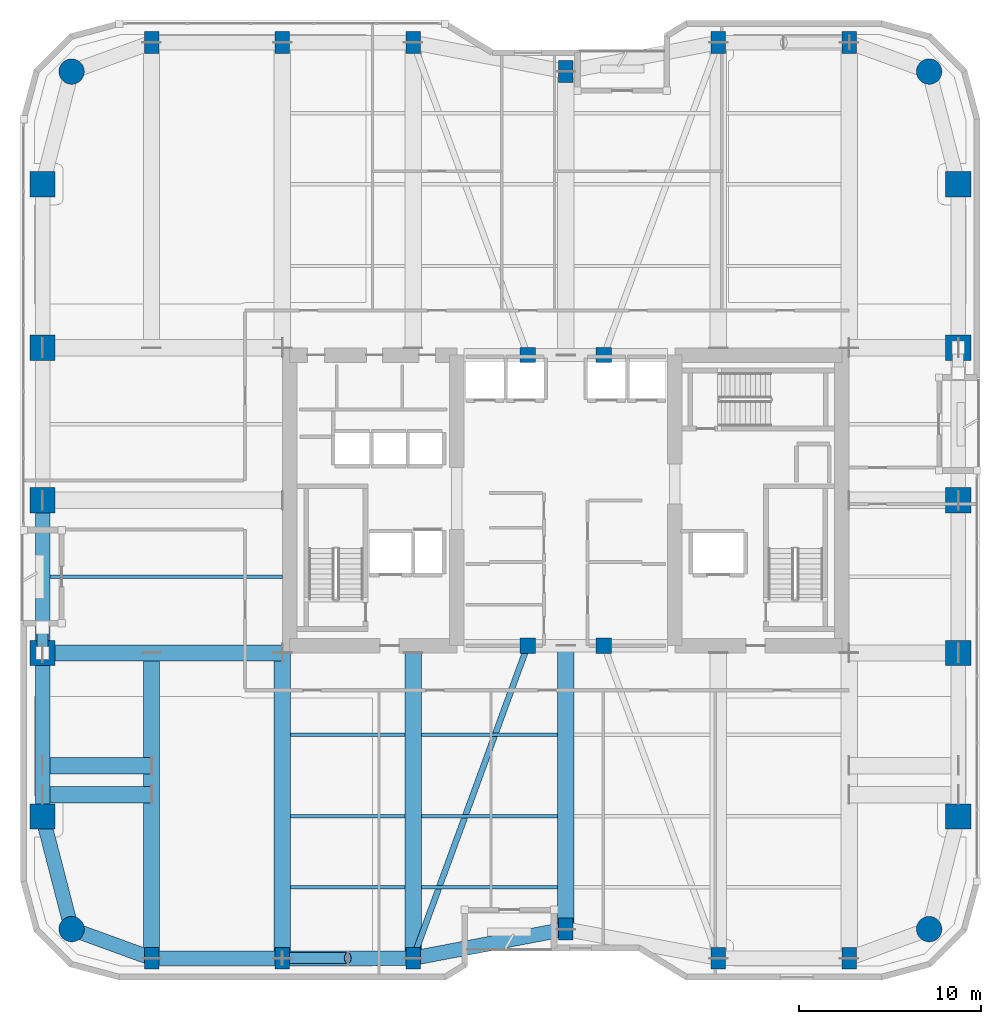
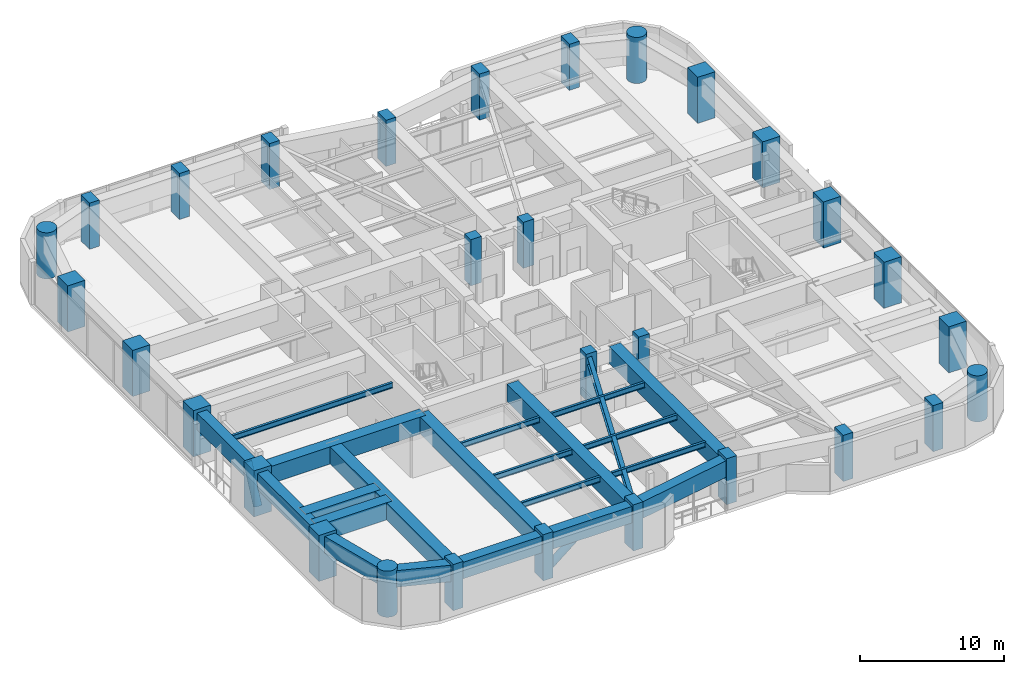
# One storey, part 1 of 25: 30 columns, 22 beams, 2 members.
"""IFC4 building model written with IfcOpenShell, lengths in metres."""

from ifc_helpers import new_model, si_unit, direction, frame, origin, origin_2d, place, context, subcontext, project, spatial, rectangle, hollow_rectangle, circle, hollow_circle, i_section, extrude, material, material_profile, profile_set, type_object, element, save


model = new_model("IFC4")

# Units and contexts
model_context = context("Model", 3, precision=1e-05, world=origin(), true_north=direction((0.0, 1.0)))
body_context = subcontext(model_context, "Body", "Model", "MODEL_VIEW")
ifc_project = project(units=[si_unit("LENGTHUNIT", "METRE"), si_unit("AREAUNIT", "SQUARE_METRE"), si_unit("VOLUMEUNIT", "CUBIC_METRE"), si_unit("PLANEANGLEUNIT", "RADIAN"), si_unit("MASSUNIT", "GRAM", prefix="KILO")], contexts=[model_context])

# Site, building, storey
site_placement = place(None, origin())
site = spatial("IfcSite", under=ifc_project, at=site_placement, CompositionType="ELEMENT")
building_placement = place(site_placement, origin())
building = spatial("IfcBuilding", under=site, at=building_placement, Name="Kiyonajd Concourse Tower", CompositionType="ELEMENT")
storey_placement = place(building_placement, frame((0.0, 0.0, 141.60009765625)))
storey = spatial("IfcBuildingStorey", under=building, at=storey_placement, Name="L36", CompositionType="ELEMENT", Elevation=141.60009765625)

# Columns
ifc_material_1 = material(Name="Concrete C70/85", Category="concrete")
ifc_material_profile_1 = material_profile(ifc_material_1, rectangle(XDim=0.800048828125, YDim=1.199951171875, at=origin_2d()), Name="RC-1200x800")
ifc_profile_set_1 = profile_set([ifc_material_profile_1], Name="Concrete C70/85")
column_type_1 = type_object("IfcColumnType", Name="CL-BLADE-1200", PredefinedType="COLUMN", material=ifc_profile_set_1)
for number, where, z_axis, x_axis, name in (
    (1, (25.199951171875, 10.800048828125, 0.0), (0.0, 0.0, 1.0), (1.0, 0.0, 0.0), "L36 Perimeter Bundled Tube Column"),
    (2, (25.199951171875, 61.199951171875, 0.0), (0.0, 0.0, 1.0), (1.0, 0.0, 0.0), "L36 Perimeter Bundled Tube Column"),
    (3, (32.39990234375, 10.800048828125, 0.0), (0.0, 0.0, 1.0), (1.0, 0.0, 0.0), "L36 Perimeter Bundled Tube Column"),
    (4, (32.39990234375, 61.199951171875, 0.0), (0.0, 0.0, 1.0), (1.0, 0.0, 0.0), "L36 Perimeter Bundled Tube Column"),
    (5, (39.60009765625, 10.800048828125, 0.0), (0.0, 0.0, 1.0), (1.0, 0.0, 0.0), "L36 Perimeter Bundled Tube Column"),
    (6, (39.60009765625, 61.199951171875, 0.0), (0.0, 0.0, 1.0), (1.0, 0.0, 0.0), "L36 Perimeter Bundled Tube Column"),
    (7, (48.0, 12.39990234375, 0.0), (0.0, 0.0, 1.0), (1.0, 0.0, 0.0), "L36 Perimeter Bundled Tube Column"),
    (8, (48.0, 59.60009765625, 0.0), (0.0, 0.0, 1.0), (1.0, 0.0, 0.0), "L36 Perimeter Bundled Tube Column"),
    (9, (56.39990234375, 10.800048828125, 0.0), (0.0, 0.0, 1.0), (1.0, 0.0, 0.0), "L36 Perimeter Bundled Tube Column"),
    (10, (56.39990234375, 61.199951171875, 0.0), (0.0, 0.0, 1.0), (1.0, 0.0, 0.0), "L36 Perimeter Bundled Tube Column"),
    (11, (63.60009765625, 10.800048828125, 0.0), (0.0, 0.0, 1.0), (1.0, 0.0, 0.0), "L36 Perimeter Bundled Tube Column"),
    (12, (63.60009765625, 61.199951171875, 0.0), (0.0, 0.0, 1.0), (1.0, 0.0, 0.0), "L36 Perimeter Bundled Tube Column"),
):
    element("IfcColumn", number, at=place(storey_placement, frame(where, z_axis=z_axis, x_axis=x_axis)), inside=storey, type_object=column_type_1, Name=name, PredefinedType="COLUMN", context=body_context, shape_type="SweptSolid", body=[
        extrude(rectangle(XDim=0.800048828125, YDim=1.199951171875, at=origin_2d()), origin(), (0.0, 0.0, 1.0), 3.89990234375),
    ])
ifc_material_2 = material(Name="Concrete C80/95", Category="concrete")
ifc_material_profile_2 = material_profile(ifc_material_2, circle(Radius=0.699951171875, at=origin_2d()), Name="RCC-D1400")
ifc_profile_set_2 = profile_set([ifc_material_profile_2], Name="Concrete C80/95")
column_type_2 = type_object("IfcColumnType", Name="CL-RND-1400", PredefinedType="COLUMN", material=ifc_profile_set_2)
for number, where, z_axis, x_axis, name in (
    (13, (20.800048828125, 12.39990234375, 0.0), (0.0, 0.0, 1.0), (1.0, 0.0, 0.0), "L36 Bundled Tube Corner Column South West"),
    (14, (68.0, 12.39990234375, 0.0), (0.0, 0.0, 1.0), (1.0, 0.0, 0.0), "L36 Bundled Tube Corner Column South East"),
    (15, (68.0, 59.60009765625, 0.0), (0.0, 0.0, 1.0), (1.0, 0.0, 0.0), "L36 Bundled Tube Corner Column North East"),
    (16, (20.800048828125, 59.60009765625, 0.0), (0.0, 0.0, 1.0), (1.0, 0.0, 0.0), "L36 Bundled Tube Corner Column North West"),
):
    element("IfcColumn", number, at=place(storey_placement, frame(where, z_axis=z_axis, x_axis=x_axis)), inside=storey, type_object=column_type_2, Name=name, PredefinedType="COLUMN", context=body_context, shape_type="SweptSolid", body=[
        extrude(circle(Radius=0.699951171875, at=origin_2d()), origin(), (0.0, 0.0, 1.0), 3.89990234375),
    ])
ifc_material_profile_3 = material_profile(ifc_material_1, rectangle(XDim=1.39990234375, YDim=1.39990234375, at=origin_2d()), Name="RC-1400x1400")
ifc_profile_set_3 = profile_set([ifc_material_profile_3], Name="Concrete C70/85")
column_type_3 = type_object("IfcColumnType", Name="CL-TUBE-1400", PredefinedType="COLUMN", material=ifc_profile_set_3)
for number, where, z_axis, x_axis, name in (
    (17, (19.199951171875, 18.60009765625, 0.0), (0.0, 0.0, 1.0), (1.0, 0.0, 0.0), "L36 Perimeter Bundled Tube Column"),
    (18, (69.60009765625, 18.60009765625, 0.0), (0.0, 0.0, 1.0), (1.0, 0.0, 0.0), "L36 Perimeter Bundled Tube Column"),
    (19, (19.199951171875, 27.60009765625, 0.0), (0.0, 0.0, 1.0), (1.0, 0.0, 0.0), "L36 Perimeter Bundled Tube Column"),
    (20, (69.60009765625, 27.60009765625, 0.0), (0.0, 0.0, 1.0), (1.0, 0.0, 0.0), "L36 Perimeter Bundled Tube Column"),
    (21, (19.199951171875, 36.0, 0.0), (0.0, 0.0, 1.0), (1.0, 0.0, 0.0), "L36 Perimeter Bundled Tube Column"),
    (22, (69.60009765625, 36.0, 0.0), (0.0, 0.0, 1.0), (1.0, 0.0, 0.0), "L36 Perimeter Bundled Tube Column"),
    (23, (19.199951171875, 44.39990234375, 0.0), (0.0, 0.0, 1.0), (1.0, 0.0, 0.0), "L36 Perimeter Bundled Tube Column"),
    (24, (69.60009765625, 44.39990234375, 0.0), (0.0, 0.0, 1.0), (1.0, 0.0, 0.0), "L36 Perimeter Bundled Tube Column"),
    (25, (19.199951171875, 53.39990234375, 0.0), (0.0, 0.0, 1.0), (1.0, 0.0, 0.0), "L36 Perimeter Bundled Tube Column"),
    (26, (69.60009765625, 53.39990234375, 0.0), (0.0, 0.0, 1.0), (1.0, 0.0, 0.0), "L36 Perimeter Bundled Tube Column"),
):
    element("IfcColumn", number, at=place(storey_placement, frame(where, z_axis=z_axis, x_axis=x_axis)), inside=storey, type_object=column_type_3, Name=name, PredefinedType="COLUMN", context=body_context, shape_type="SweptSolid", body=[
        extrude(rectangle(XDim=1.39990234375, YDim=1.39990234375, at=origin_2d()), origin(), (0.0, 0.0, 1.0), 3.89990234375),
    ])
ifc_material_3 = material(Name="Concrete C60/75", Category="concrete")
ifc_material_profile_4 = material_profile(ifc_material_3, rectangle(XDim=0.85009765625, YDim=0.85009765625, at=origin_2d()), Name="RC-850x850")
ifc_profile_set_4 = profile_set([ifc_material_profile_4], Name="Concrete C60/75")
column_type_4 = type_object("IfcColumnType", Name="CL-TUBE-850", PredefinedType="COLUMN", material=ifc_profile_set_4)
for number, where, z_axis, x_axis, name in (
    (27, (45.89990234375, 28.0, 0.0), (0.0, 0.0, 1.0), (1.0, 0.0, 0.0), "L36 Core Tie Column South West"),
    (28, (50.10009765625, 28.0, 0.0), (0.0, 0.0, 1.0), (1.0, 0.0, 0.0), "L36 Core Tie Column South East"),
    (29, (45.89990234375, 44.0, 0.0), (0.0, 0.0, 1.0), (1.0, 0.0, 0.0), "L36 Core Tie Column North West"),
    (30, (50.10009765625, 44.0, 0.0), (0.0, 0.0, 1.0), (1.0, 0.0, 0.0), "L36 Core Tie Column North East"),
):
    element("IfcColumn", number, at=place(storey_placement, frame(where, z_axis=z_axis, x_axis=x_axis)), inside=storey, type_object=column_type_4, Name=name, PredefinedType="COLUMN", context=body_context, shape_type="SweptSolid", body=[
        extrude(rectangle(XDim=0.85009765625, YDim=0.85009765625, at=origin_2d()), origin(), (0.0, 0.0, 1.0), 3.89990234375),
    ])

# Beams
ifc_material_4 = material(Name="Steel ASTM A992 Grade 50", Category="steel")
ifc_material_profile_5 = material_profile(ifc_material_4, i_section(OverallWidth=0.19189453125, OverallDepth=0.462890625, WebThickness=0.010498046875, FlangeThickness=0.017578125, at=origin_2d()), Name="W460X89")
ifc_profile_set_5 = profile_set([ifc_material_profile_5], Name="Steel ASTM A992 Grade 50")
beam_type_1 = type_object("IfcBeamType", Name="BM-JST-460B", PredefinedType="JOIST", material=ifc_profile_set_5)
beam_1_placement = place(storey_placement, frame((32.85009765625, 14.699951171875, 3.428466796875), z_axis=(1.0, 0.0, 0.0), x_axis=(0.0, 1.0, 0.0)))
element("IfcBeam", 31, at=beam_1_placement, inside=storey, type_object=beam_type_1, Name="L36 Secondary Floor Joist", PredefinedType="JOIST", context=body_context, shape_type="SweptSolid", body=[
    extrude(i_section(OverallWidth=0.19189453125, OverallDepth=0.462890625, WebThickness=0.010498046875, FlangeThickness=0.017578125, at=origin_2d()), origin(), (0.0, 0.0, 1.0), 6.2998046875),
])
beam_2_placement = place(storey_placement, frame((40.050048828125, 14.699951171875, 3.428466796875), z_axis=(1.0, 0.0, 0.0), x_axis=(0.0, 1.0, 0.0)))
element("IfcBeam", 32, at=beam_2_placement, inside=storey, type_object=beam_type_1, Name="L36 Secondary Floor Joist", PredefinedType="JOIST", context=body_context, shape_type="SweptSolid", body=[
    extrude(i_section(OverallWidth=0.19189453125, OverallDepth=0.462890625, WebThickness=0.010498046875, FlangeThickness=0.017578125, at=origin_2d()), origin(), (0.0, 0.0, 1.0), 7.5),
])
beam_3_placement = place(storey_placement, frame((32.85009765625, 18.60009765625, 3.368408203125), z_axis=(1.0, 0.0, 0.0), x_axis=(0.0, 1.0, 0.0)))
element("IfcBeam", 33, at=beam_3_placement, inside=storey, type_object=beam_type_1, Name="L36 Secondary Floor Joist", PredefinedType="JOIST", context=body_context, shape_type="SweptSolid", body=[
    extrude(i_section(OverallWidth=0.19189453125, OverallDepth=0.462890625, WebThickness=0.010498046875, FlangeThickness=0.017578125, at=origin_2d()), origin(), (0.0, 0.0, 1.0), 6.2998046875),
])
beam_4_placement = place(storey_placement, frame((40.050048828125, 18.60009765625, 3.368408203125), z_axis=(1.0, 0.0, 0.0), x_axis=(0.0, 1.0, 0.0)))
element("IfcBeam", 34, at=beam_4_placement, inside=storey, type_object=beam_type_1, Name="L36 Secondary Floor Joist", PredefinedType="JOIST", context=body_context, shape_type="SweptSolid", body=[
    extrude(i_section(OverallWidth=0.19189453125, OverallDepth=0.462890625, WebThickness=0.010498046875, FlangeThickness=0.017578125, at=origin_2d()), origin(), (0.0, 0.0, 1.0), 7.5),
])
beam_5_placement = place(storey_placement, frame((32.85009765625, 23.10009765625, 3.368408203125), z_axis=(1.0, 0.0, 0.0), x_axis=(0.0, 1.0, 0.0)))
element("IfcBeam", 35, at=beam_5_placement, inside=storey, type_object=beam_type_1, Name="L36 Secondary Floor Joist", PredefinedType="JOIST", context=body_context, shape_type="SweptSolid", body=[
    extrude(i_section(OverallWidth=0.19189453125, OverallDepth=0.462890625, WebThickness=0.010498046875, FlangeThickness=0.017578125, at=origin_2d()), origin(), (0.0, 0.0, 1.0), 6.2998046875),
])
beam_6_placement = place(storey_placement, frame((40.050048828125, 23.10009765625, 3.368408203125), z_axis=(1.0, 0.0, 0.0), x_axis=(0.0, 1.0, 0.0)))
element("IfcBeam", 36, at=beam_6_placement, inside=storey, type_object=beam_type_1, Name="L36 Secondary Floor Joist", PredefinedType="JOIST", context=body_context, shape_type="SweptSolid", body=[
    extrude(i_section(OverallWidth=0.19189453125, OverallDepth=0.462890625, WebThickness=0.010498046875, FlangeThickness=0.017578125, at=origin_2d()), origin(), (0.0, 0.0, 1.0), 7.5),
])
beam_7_placement = place(storey_placement, frame((19.60009765625, 31.800048828125, 3.368408203125), z_axis=(1.0, 0.0, 0.0), x_axis=(0.0, 1.0, 0.0)))
element("IfcBeam", 37, at=beam_7_placement, inside=storey, type_object=beam_type_1, Name="L36 West Secondary Floor Joist", PredefinedType="JOIST", context=body_context, shape_type="SweptSolid", body=[
    extrude(i_section(OverallWidth=0.19189453125, OverallDepth=0.462890625, WebThickness=0.010498046875, FlangeThickness=0.017578125, at=origin_2d()), origin(), (0.0, 0.0, 1.0), 12.7998046875),
])
ifc_material_profile_6 = material_profile(ifc_material_4, i_section(OverallWidth=0.326904296875, OverallDepth=0.6220703125, WebThickness=0.015380859375, FlangeThickness=0.0244140625, at=origin_2d()), Name="W610X195")
ifc_profile_set_6 = profile_set([ifc_material_profile_6], Name="Steel ASTM A992 Grade 50")
beam_type_2 = type_object("IfcBeamType", Name="BM-TWR-610A", PredefinedType="BEAM", material=ifc_profile_set_6)
beam_8_placement = place(storey_placement, frame((39.60009765625, 10.800048828125, 3.288818359375), z_axis=(0.343925269715, 0.938997022813, 0.0), x_axis=(-0.938997022813, 0.343925269715, 0.0)))
element("IfcBeam", 38, at=beam_8_placement, inside=storey, type_object=beam_type_2, Name="L36 Core Tie Girder", PredefinedType="BEAM", context=body_context, shape_type="SweptSolid", body=[
    extrude(i_section(OverallWidth=0.326904296875, OverallDepth=0.6220703125, WebThickness=0.015380859375, FlangeThickness=0.0244140625, at=origin_2d()), origin(), (0.0, 0.0, 1.0), 18.3173828125),
])
ifc_material_5 = material(Name="Steel ASTM A572 Grade 50", Category="steel")
ifc_material_profile_7 = material_profile(ifc_material_5, hollow_rectangle(XDim=0.89990234375, YDim=1.449951171875, WallThickness=0.074951171875, at=origin_2d()), Name="BOX-1450x900x75")
ifc_profile_set_7 = profile_set([ifc_material_profile_7], Name="Steel ASTM A572 Grade 50")
beam_type_3 = type_object("IfcBeamType", Name="BM-XFER-1800", PredefinedType="BEAM", material=ifc_profile_set_7)
beam_9_placement = place(storey_placement, frame((19.199951171875, 19.800048828125, 2.875), z_axis=(1.0, 0.0, 0.0), x_axis=(0.0, 1.0, 0.0)))
element("IfcBeam", 39, at=beam_9_placement, inside=storey, type_object=beam_type_3, Name="L36 South Setback Transfer Girder 1", PredefinedType="BEAM", context=body_context, shape_type="SweptSolid", body=[
    extrude(hollow_rectangle(XDim=0.89990234375, YDim=1.449951171875, WallThickness=0.074951171875, at=origin_2d()), origin(), (0.0, 0.0, 1.0), 6.0),
])
for number, where, z_axis, x_axis, name in (
    (40, (25.199951171875, 10.800048828125, 2.875), (0.0, 1.0, 0.0), (-1.0, 0.0, 0.0), "L36 South Lease Girder"),
    (41, (32.39990234375, 10.800048828125, 2.875), (0.0, 1.0, 0.0), (-1.0, 0.0, 0.0), "L36 South Lease Girder"),
    (42, (39.60009765625, 10.800048828125, 2.875), (0.0, 1.0, 0.0), (-1.0, 0.0, 0.0), "L36 South Lease Girder"),
):
    element("IfcBeam", number, at=place(storey_placement, frame(where, z_axis=z_axis, x_axis=x_axis)), inside=storey, type_object=beam_type_3, Name=name, PredefinedType="BEAM", context=body_context, shape_type="SweptSolid", body=[
        extrude(hollow_rectangle(XDim=0.89990234375, YDim=1.449951171875, WallThickness=0.074951171875, at=origin_2d()), origin(), (0.0, 0.0, 1.0), 16.800048828125),
    ])
beam_10_placement = place(storey_placement, frame((48.0, 12.39990234375, 2.875), z_axis=(0.0, 1.0, 0.0), x_axis=(-1.0, 0.0, 0.0)))
element("IfcBeam", 43, at=beam_10_placement, inside=storey, type_object=beam_type_3, Name="L36 South Ribbon Girder", PredefinedType="BEAM", context=body_context, shape_type="SweptSolid", body=[
    extrude(hollow_rectangle(XDim=0.89990234375, YDim=1.449951171875, WallThickness=0.074951171875, at=origin_2d()), origin(), (0.0, 0.0, 1.0), 15.60009765625),
])
beam_11_placement = place(storey_placement, frame((19.199951171875, 27.60009765625, 2.875), z_axis=(1.0, 0.0, 0.0), x_axis=(0.0, 1.0, 0.0)))
element("IfcBeam", 44, at=beam_11_placement, inside=storey, type_object=beam_type_3, Name="L36 West Lease Girder", PredefinedType="BEAM", context=body_context, shape_type="SweptSolid", body=[
    extrude(hollow_rectangle(XDim=0.89990234375, YDim=1.449951171875, WallThickness=0.074951171875, at=origin_2d()), origin(), (0.0, 0.0, 1.0), 13.199951171875),
])
beam_12_placement = place(storey_placement, frame((19.199951171875, 21.39990234375, 2.875), z_axis=(1.0, 0.0, 0.0), x_axis=(0.0, 1.0, 0.0)))
element("IfcBeam", 45, at=beam_12_placement, inside=storey, type_object=beam_type_3, Name="L36 Column Transfer Girder", PredefinedType="BEAM", context=body_context, shape_type="SweptSolid", body=[
    extrude(hollow_rectangle(XDim=0.89990234375, YDim=1.449951171875, WallThickness=0.074951171875, at=origin_2d()), origin(), (0.0, 0.0, 1.0), 6.0),
])
ifc_material_profile_8 = material_profile(ifc_material_3, rectangle(XDim=0.800048828125, YDim=1.39990234375, at=origin_2d()), Name="RCBM-800x1400")
ifc_profile_set_8 = profile_set([ifc_material_profile_8], Name="Concrete C60/75")
beam_type_4 = type_object("IfcBeamType", Name="BM-XFER-RC", PredefinedType="BEAM", material=ifc_profile_set_8)
beam_13_placement = place(storey_placement, frame((19.199951171875, 27.60009765625, 2.89990234375), z_axis=(0.0, -1.0, 0.0), x_axis=(1.0, 0.0, 0.0)))
element("IfcBeam", 46, at=beam_13_placement, inside=storey, type_object=beam_type_4, Name="L36 Perimeter Bundled Tube Spandrel", PredefinedType="BEAM", context=body_context, shape_type="SweptSolid", body=[
    extrude(rectangle(XDim=0.800048828125, YDim=1.39990234375, at=origin_2d()), origin(), (0.0, 0.0, 1.0), 9.0),
])
beam_14_placement = place(storey_placement, frame((19.199951171875, 18.60009765625, 2.9599609375), z_axis=(0.249884937687, -0.968275538221, 0.0), x_axis=(0.968275538221, 0.249884937687, 0.0)))
element("IfcBeam", 47, at=beam_14_placement, inside=storey, type_object=beam_type_4, Name="L36 Perimeter Bundled Tube Spandrel", PredefinedType="BEAM", context=body_context, shape_type="SweptSolid", body=[
    extrude(rectangle(XDim=0.800048828125, YDim=1.39990234375, at=origin_2d()), origin(), (0.0, 0.0, 1.0), 6.4033203125),
])
beam_15_placement = place(storey_placement, frame((20.800048828125, 12.39990234375, 2.9599609375), z_axis=(0.939801036019, -0.341722127901, 0.0), x_axis=(0.341722127901, 0.939801036019, 0.0)))
element("IfcBeam", 48, at=beam_15_placement, inside=storey, type_object=beam_type_4, Name="L36 Perimeter Bundled Tube Spandrel", PredefinedType="BEAM", context=body_context, shape_type="SweptSolid", body=[
    extrude(rectangle(XDim=0.800048828125, YDim=1.39990234375, at=origin_2d()), origin(), (0.0, 0.0, 1.0), 4.681640625),
])
beam_16_placement = place(storey_placement, frame((25.199951171875, 10.800048828125, 2.9599609375), z_axis=(1.0, 0.0, 0.0), x_axis=(0.0, 1.0, 0.0)))
element("IfcBeam", 49, at=beam_16_placement, inside=storey, type_object=beam_type_4, Name="L36 Perimeter Bundled Tube Spandrel", PredefinedType="BEAM", context=body_context, shape_type="SweptSolid", body=[
    extrude(rectangle(XDim=0.800048828125, YDim=1.39990234375, at=origin_2d()), origin(), (0.0, 0.0, 1.0), 7.199951171875),
])
beam_17_placement = place(storey_placement, frame((32.39990234375, 10.800048828125, 2.9599609375), z_axis=(1.0, 0.0, 0.0), x_axis=(0.0, 1.0, 0.0)))
element("IfcBeam", 50, at=beam_17_placement, inside=storey, type_object=beam_type_4, Name="L36 Perimeter Bundled Tube Spandrel", PredefinedType="BEAM", context=body_context, shape_type="SweptSolid", body=[
    extrude(rectangle(XDim=0.800048828125, YDim=1.39990234375, at=origin_2d()), origin(), (0.0, 0.0, 1.0), 7.2001953125),
])
beam_18_placement = place(storey_placement, frame((39.60009765625, 10.800048828125, 2.9599609375), z_axis=(0.982341315253, 0.187097675953, 0.0), x_axis=(-0.187097675953, 0.982341315253, 0.0)))
element("IfcBeam", 51, at=beam_18_placement, inside=storey, type_object=beam_type_4, Name="L36 Perimeter Bundled Tube Spandrel", PredefinedType="BEAM", context=body_context, shape_type="SweptSolid", body=[
    extrude(rectangle(XDim=0.800048828125, YDim=1.39990234375, at=origin_2d()), origin(), (0.0, 0.0, 1.0), 8.55078125),
])
beam_19_placement = place(storey_placement, frame((19.199951171875, 36.0, 2.89990234375), z_axis=(0.0, -1.0, 0.0), x_axis=(1.0, 0.0, 0.0)))
element("IfcBeam", 52, at=beam_19_placement, inside=storey, type_object=beam_type_4, Name="L36 Perimeter Bundled Tube Spandrel", PredefinedType="BEAM", context=body_context, shape_type="SweptSolid", body=[
    extrude(rectangle(XDim=0.800048828125, YDim=1.39990234375, at=origin_2d()), origin(), (0.0, 0.0, 1.0), 8.39990234375),
])

# Members
ifc_material_profile_9 = material_profile(ifc_material_5, hollow_circle(Radius=0.304931640625, WallThickness=0.02490234375, at=origin_2d()), Name="CHS-610x25")
ifc_profile_set_9 = profile_set([ifc_material_profile_9], Name="Steel ASTM A572 Grade 50")
member_type = type_object("IfcMemberType", Name="MB-PB-LOW", PredefinedType="BRACE", material=ifc_profile_set_9)
member_1_placement = place(storey_placement, frame((32.39990234375, 10.800048828125, 0.2998046875), z_axis=(0.773466297225, 0.0, 0.633837429517), x_axis=(0.0, 1.0, 0.0)))
element("IfcMember", 53, at=member_1_placement, inside=storey, type_object=member_type, Name="L36 Lower Zone Welded Tube Brace PBS", PredefinedType="BRACE", context=body_context, shape_type="SweptSolid", body=[
    extrude(hollow_circle(Radius=0.304931640625, WallThickness=0.02490234375, at=origin_2d()), origin(), (0.0, 0.0, 1.0), 4.654541015625),
])
member_2_placement = place(storey_placement, frame((19.199951171875, 27.60009765625, 0.2998046875), z_axis=(0.0, 0.428696876214, 0.903448387194), x_axis=(-1.0, 0.0, 0.0)))
element("IfcMember", 54, at=member_2_placement, inside=storey, type_object=member_type, Name="L36 Lower Zone Welded Tube Brace PBW", PredefinedType="BRACE", context=body_context, shape_type="SweptSolid", body=[
    extrude(hollow_circle(Radius=0.304931640625, WallThickness=0.02490234375, at=origin_2d()), origin(), (0.0, 0.0, 1.0), 3.265380859375),
])

save(model, "model.ifc")
